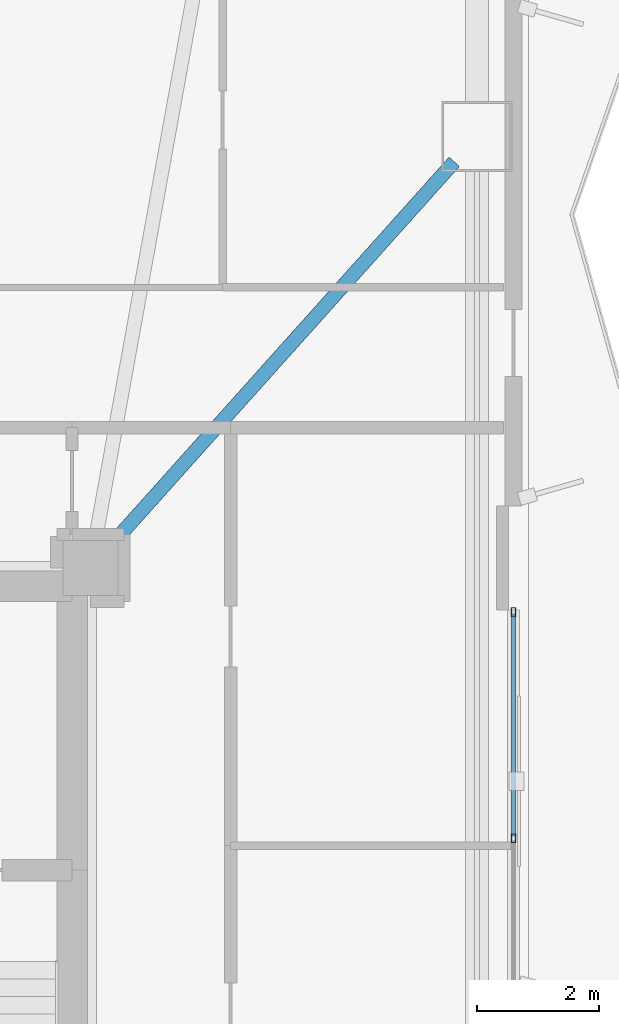
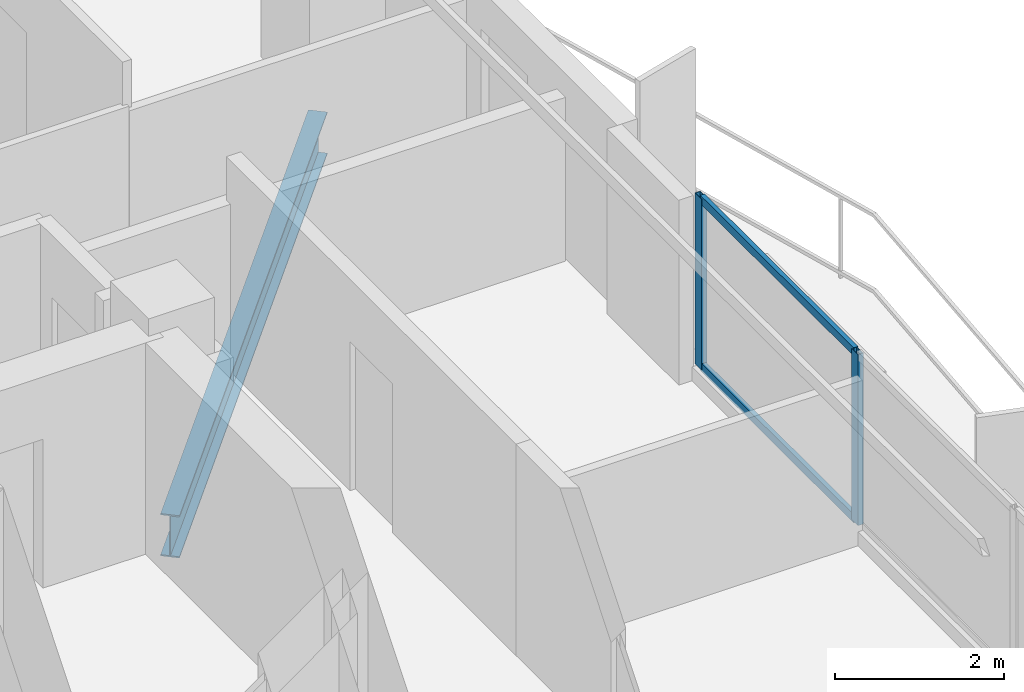
# One storey, part 10 of 22: 4 members, 1 beam, 1 element without a shape of its own.
"""IFC4 building model written with IfcOpenShell, lengths in metres."""

from ifc_helpers import new_model, si_unit, direction, frame, origin, origin_2d, place, context, subcontext, project, spatial, hollow_rectangle, i_section, extrude, material, layer, layer_set, material_profile, profile_set, type_object, element, aggregate, save


model = new_model("IFC4")

# Units and contexts
model_context = context("Model", 3, precision=1e-05, world=origin(), true_north=direction((0.0, 1.0)))
body_context = subcontext(model_context, "Body", "Model", "MODEL_VIEW")
ifc_project = project(units=[si_unit("LENGTHUNIT", "METRE"), si_unit("AREAUNIT", "SQUARE_METRE"), si_unit("VOLUMEUNIT", "CUBIC_METRE"), si_unit("PLANEANGLEUNIT", "RADIAN"), si_unit("MASSUNIT", "GRAM", prefix="KILO")], contexts=[model_context])

# Site, building, storey
site_placement = place(None, origin())
site = spatial("IfcSite", under=ifc_project, at=site_placement, CompositionType="ELEMENT")
building_placement = place(site_placement, origin())
building = spatial("IfcBuilding", under=site, at=building_placement, Name="Mersakhor Tower and Convention Hall", CompositionType="ELEMENT")
storey_placement = place(building_placement, frame((0.0, 0.0, 90.0)))
storey = spatial("IfcBuildingStorey", under=building, at=storey_placement, Name="L24", CompositionType="ELEMENT", Elevation=90.0)

# Beam
ifc_material_1 = material(Name="Steel S355", Category="steel")
ifc_material_profile_1 = material_profile(ifc_material_1, i_section(OverallWidth=0.22900390625, OverallDepth=0.6123046875, WebThickness=0.011962890625, FlangeThickness=0.01953125, at=origin_2d()), Name="UB 610x229x125")
ifc_profile_set_1 = profile_set([ifc_material_profile_1], Name="Steel S355")
beam_type = type_object("IfcBeamType", Name="BM-PR-610", PredefinedType="BEAM", material=ifc_profile_set_1)
beam_placement = place(storey_placement, frame((36.386962890625, 33.370361328125, -0.55615234375), z_axis=(0.66721913788, 0.744861478428, 0.0), x_axis=(-0.744861478428, 0.66721913788, 0.0)))
element("IfcBeam", 1, at=beam_placement, inside=storey, type_object=beam_type, Name="L24 Primary Floor Girder FG-3", PredefinedType="BEAM", context=body_context, shape_type="SweptSolid", body=[
    extrude(i_section(OverallWidth=0.22900390625, OverallDepth=0.6123046875, WebThickness=0.011962890625, FlangeThickness=0.01953125, at=origin_2d()), origin(), (0.0, 0.0, 1.0), 8.5087890625),
])

# Curtain wall, members
ifc_material_2 = material(Name="Dark solar low-E aluminium curtain wall", Category="aluminium")
ifc_layer = layer(ifc_material_2, 0.159912109375)
ifc_layer_set = layer_set([ifc_layer], Name="Dark solar low-E aluminium curtain wall")
curtain_wall_type = type_object("IfcCurtainWallType", Name="CW-SYS-01", PredefinedType="USERDEFINED", material=ifc_layer_set)
curtain_wall_placement = place(storey_placement, origin())
curtain_wall = element("IfcCurtainWall", 2, at=curtain_wall_placement, inside=storey, type_object=curtain_wall_type, Name="L24 Dark-Glass Curtain Wall F2-B2", ObjectType="CURTAIN WALL", PredefinedType="USERDEFINED")
ifc_material_3 = material(Name="Anodised aluminium EN AW-6063 T6", Category="aluminium")
ifc_material_profile_2 = material_profile(ifc_material_3, hollow_rectangle(XDim=0.074951171875, YDim=0.14990234375, WallThickness=0.00634765625, at=origin_2d()), Name="RHS 150x75x6.3")
ifc_profile_set_2 = profile_set([ifc_material_profile_2], Name="Anodised aluminium EN AW-6063 T6")
member_type_1 = type_object("IfcMemberType", Name="CWM-150x75", PredefinedType="MULLION", material=ifc_profile_set_2)
member_1_placement = place(storey_placement, frame((43.03466796875, 32.327392578125, 0.199951171875), z_axis=(0.0, 0.0, 1.0), x_axis=(1.0, 0.0, 0.0)))
member_1 = element("IfcMember", 3, at=member_1_placement, type_object=member_type_1, Name="CW-01 mullion 1", PredefinedType="MULLION", context=body_context, shape_type="SweptSolid", body=[
    extrude(hollow_rectangle(XDim=0.074951171875, YDim=0.14990234375, WallThickness=0.00634765625, at=origin_2d()), origin(), (0.0, 0.0, 1.0), 2.469970703125),
])
member_2_placement = place(storey_placement, frame((43.03466796875, 28.62158203125, 0.199951171875), z_axis=(0.0, 0.0, 1.0), x_axis=(1.0, 0.0, 0.0)))
member_2 = element("IfcMember", 4, at=member_2_placement, type_object=member_type_1, Name="CW-01 mullion 2", PredefinedType="MULLION", context=body_context, shape_type="SweptSolid", body=[
    extrude(hollow_rectangle(XDim=0.074951171875, YDim=0.14990234375, WallThickness=0.00634765625, at=origin_2d()), origin(), (0.0, 0.0, 1.0), 2.469970703125),
])
ifc_material_4 = material(Name="Anodised aluminium EN AW-6063 T6", Category="aluminium")
ifc_material_profile_3 = material_profile(ifc_material_4, hollow_rectangle(XDim=0.06005859375, YDim=0.1201171875, WallThickness=0.0048828125, at=origin_2d()), Name="RHS 120x60x5")
ifc_profile_set_3 = profile_set([ifc_material_profile_3], Name="Anodised aluminium EN AW-6063 T6")
member_type_2 = type_object("IfcMemberType", Name="CWT-120x60", PredefinedType="USERDEFINED", material=ifc_profile_set_3)
member_3_placement = place(storey_placement, frame((43.03466796875, 32.289794921875, 0.22998046875), z_axis=(0.0, -1.0, 0.0), x_axis=(1.0, 0.0, 0.0)))
member_3 = element("IfcMember", 5, at=member_3_placement, type_object=member_type_2, Name="CW-01 transom 1.1", ObjectType="TRANSOM", PredefinedType="USERDEFINED", context=body_context, shape_type="SweptSolid", body=[
    extrude(hollow_rectangle(XDim=0.06005859375, YDim=0.1201171875, WallThickness=0.0048828125, at=origin_2d()), origin(), (0.0, 0.0, 1.0), 3.630615234375),
])
member_4_placement = place(storey_placement, frame((43.03466796875, 32.289794921875, 2.639892578125), z_axis=(0.0, -1.0, 0.0), x_axis=(1.0, 0.0, 0.0)))
member_4 = element("IfcMember", 6, at=member_4_placement, type_object=member_type_2, Name="CW-01 transom 1.2", ObjectType="TRANSOM", PredefinedType="USERDEFINED", context=body_context, shape_type="SweptSolid", body=[
    extrude(hollow_rectangle(XDim=0.06005859375, YDim=0.1201171875, WallThickness=0.0048828125, at=origin_2d()), origin(), (0.0, 0.0, 1.0), 3.630615234375),
])
aggregate(curtain_wall, [member_1, member_2, member_3, member_4])

save(model, "model.ifc")
